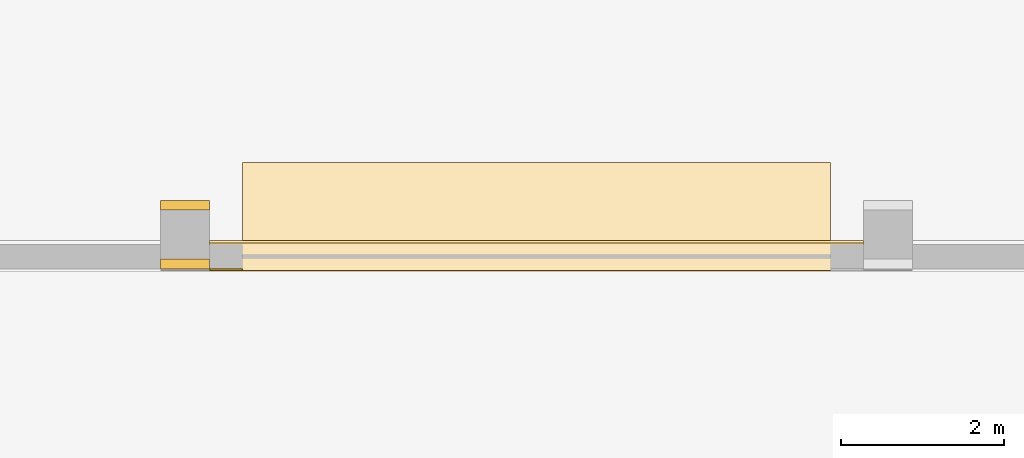
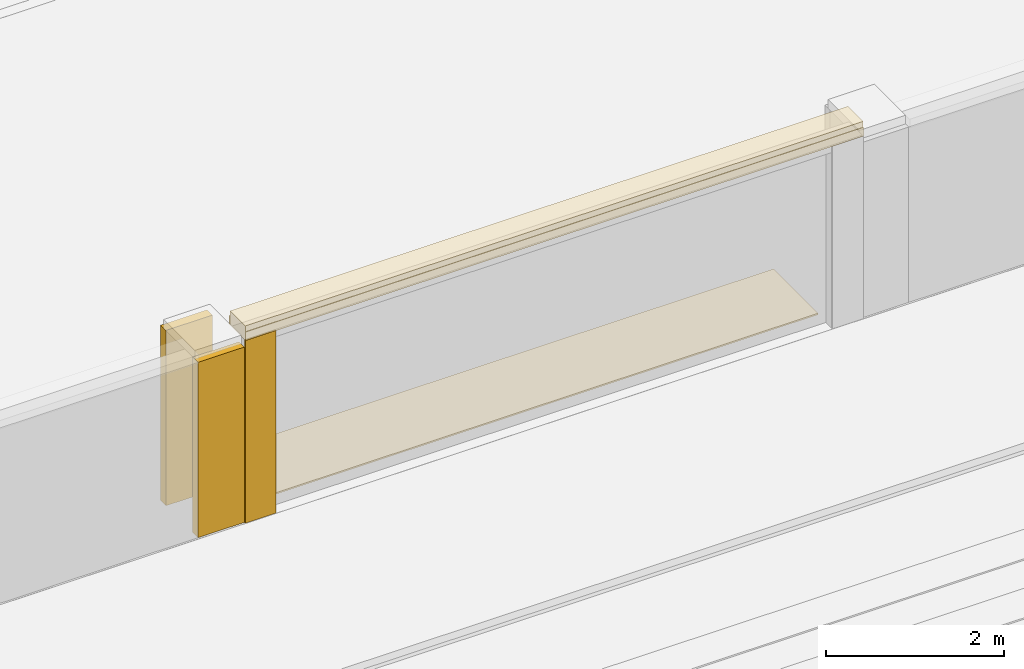
# One storey, part 122 of 148: 6 coverings.
"""IFC4 building model written with IfcOpenShell, lengths in metres."""

from ifc_helpers import new_model, si_unit, direction, frame, origin, origin_2d, place, context, subcontext, project, spatial, polyline, rectangle, outline, extrude, material, layer, layer_set, type_object, element, save


model = new_model("IFC4")

# Units and contexts
model_context = context("Model", 3, precision=1e-05, world=origin(), true_north=direction((0.0, 1.0)))
body_context = subcontext(model_context, "Body", "Model", "MODEL_VIEW")
ifc_project = project(units=[si_unit("LENGTHUNIT", "METRE"), si_unit("AREAUNIT", "SQUARE_METRE"), si_unit("VOLUMEUNIT", "CUBIC_METRE"), si_unit("PLANEANGLEUNIT", "RADIAN"), si_unit("MASSUNIT", "GRAM", prefix="KILO")], contexts=[model_context])

# Site, building, storey
site_placement = place(None, origin())
site = spatial("IfcSite", under=ifc_project, at=site_placement, CompositionType="ELEMENT")
building_placement = place(site_placement, origin())
building = spatial("IfcBuilding", under=site, at=building_placement, Name="Kupolbacken Congress Centre", CompositionType="ELEMENT")
storey_placement = place(building_placement, origin())
storey = spatial("IfcBuildingStorey", under=building, at=storey_placement, Name="L00", CompositionType="ELEMENT", Elevation=0.0)

# Coverings
ifc_material_1 = material(Name="Limestone cladding", Category="masonry")
ifc_layer_1 = layer(ifc_material_1, 0.1201171875)
ifc_layer_set_1 = layer_set([ifc_layer_1], Name="Limestone cladding")
covering_type_1 = type_object("IfcCoveringType", Name="CV1 limestone cladding band 120", PredefinedType="CLADDING", material=ifc_layer_set_1)
covering_1_placement = place(storey_placement, origin())
element("IfcCovering", 1, at=covering_1_placement, inside=storey, type_object=covering_type_1, Name="Gate pier limestone facing", PredefinedType="CLADDING", context=body_context, shape_type="SweptSolid", body=[
    extrude(outline(polyline([(117.800048828125, 0.02490234375), (117.800048828125, 0.14501953125), (118.39990234375, 0.14501953125), (118.39990234375, 0.02490234375), (117.800048828125, 0.02490234375)])), origin(), (0.0, 0.0, 1.0), 2.39990234375),
])
covering_2_placement = place(storey_placement, origin())
element("IfcCovering", 2, at=covering_2_placement, inside=storey, type_object=covering_type_1, Name="Gate pier limestone facing", PredefinedType="CLADDING", context=body_context, shape_type="SweptSolid", body=[
    extrude(outline(polyline([(117.800048828125, 0.7451171875), (117.800048828125, 0.864990234375), (118.39990234375, 0.864990234375), (118.39990234375, 0.7451171875), (117.800048828125, 0.7451171875)])), origin(), (0.0, 0.0, 1.0), 2.39990234375),
])
covering_3_placement = place(storey_placement, frame((0.0, 0.0, 2.5)))
element("IfcCovering", 3, at=covering_3_placement, inside=storey, type_object=covering_type_1, Name="Limestone coping on boundary wall", PredefinedType="CLADDING", context=body_context, shape_type="SweptSolid", body=[
    extrude(outline(polyline([(118.39990234375, 0.375), (126.39990234375, 0.375), (126.39990234375, 0.0009765625), (118.39990234375, 0.0009765625), (118.39990234375, 0.375)])), origin(), (0.0, 0.0, 1.0), 0.1201171875),
])
covering_4_placement = place(storey_placement, frame((122.39990234375, 0.175048828125, 2.5), z_axis=(0.0, 0.0, 1.0), x_axis=(1.0, 0.0, 0.0)))
element("IfcCovering", 4, at=covering_4_placement, inside=storey, type_object=covering_type_1, Name="E/portal/YG1/cap", PredefinedType="CLADDING", context=body_context, shape_type="SweptSolid", body=[
    extrude(rectangle(XDim=8.0, YDim=0.340087890625, at=origin_2d()), origin(), (0.0, 0.0, 1.0), 0.199951171875),
])
ifc_material_2 = material(Name="Limestone cladding", Category="masonry")
ifc_layer_2 = layer(ifc_material_2, 0.35009765625)
ifc_layer_set_2 = layer_set([ifc_layer_2], Name="Limestone cladding")
covering_type_2 = type_object("IfcCoveringType", Name="CV3 limestone pilaster strip 350", PredefinedType="CLADDING", material=ifc_layer_set_2)
covering_5_placement = place(storey_placement, frame((118.60009765625, 0.014892578125, 0.0), z_axis=(0.0, 0.0, 1.0), x_axis=(1.0, 0.0, 0.0)))
element("IfcCovering", 5, at=covering_5_placement, inside=storey, type_object=covering_type_2, Name="E/portal/YG1/stripW", PredefinedType="CLADDING", context=body_context, shape_type="SweptSolid", body=[
    extrude(rectangle(XDim=0.39990234375, YDim=0.02001953125, at=origin_2d()), origin(), (0.0, 0.0, 1.0), 2.5),
])
ifc_material_3 = material(Name="Limestone cladding", Category="masonry")
ifc_layer_3 = layer(ifc_material_3, 0.02001953125)
ifc_layer_set_3 = layer_set([ifc_layer_3], Name="Limestone cladding")
covering_type_3 = type_object("IfcCoveringType", Name="GF1 limestone paving 20", PredefinedType="FLOORING", material=ifc_layer_set_3)
covering_6_placement = place(storey_placement, frame((122.39990234375, 0.824951171875, 0.0), z_axis=(0.0, 0.0, 1.0), x_axis=(1.0, 0.0, 0.0)))
element("IfcCovering", 6, at=covering_6_placement, inside=storey, type_object=covering_type_3, Name="E/portal/YG1/threshold1", PredefinedType="FLOORING", context=body_context, shape_type="SweptSolid", body=[
    extrude(rectangle(XDim=7.199951171875, YDim=1.0, at=origin_2d()), origin(), (0.0, 0.0, 1.0), 0.02001953125),
])

save(model, "model.ifc")
